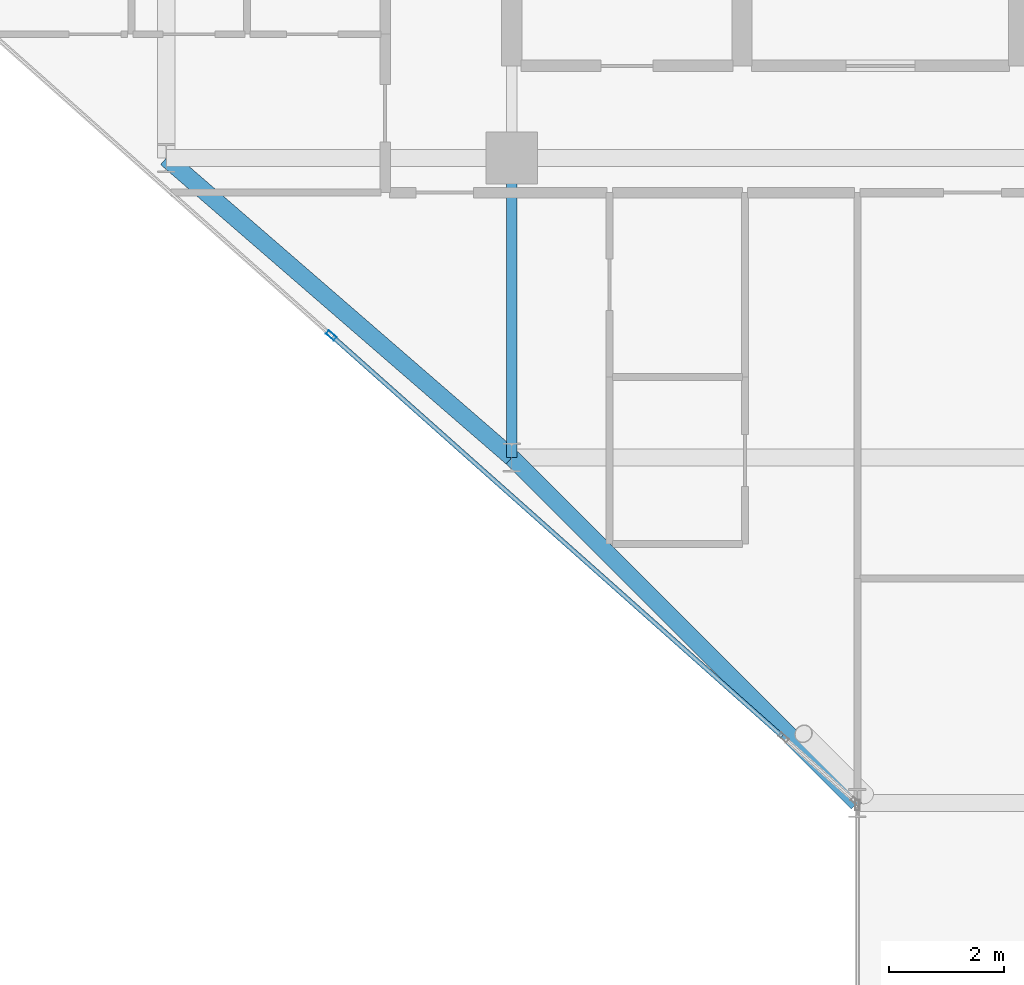
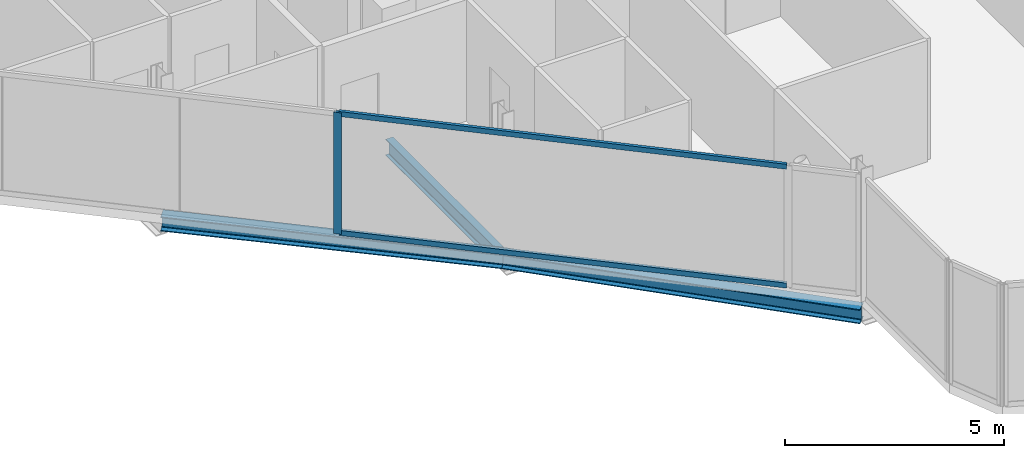
# One storey, part 4 of 32: 3 beams, 3 members, 1 element without a shape of its own.
"""IFC4 building model written with IfcOpenShell, lengths in metres."""

from ifc_helpers import new_model, si_unit, direction, frame, origin, origin_2d, place, context, subcontext, project, spatial, hollow_rectangle, i_section, extrude, material, layer, layer_set, material_profile, profile_set, type_object, element, aggregate, save


model = new_model("IFC4")

# Units and contexts
model_context = context("Model", 3, precision=1e-05, world=origin(), true_north=direction((0.0, 1.0)))
body_context = subcontext(model_context, "Body", "Model", "MODEL_VIEW")
ifc_project = project(units=[si_unit("LENGTHUNIT", "METRE"), si_unit("AREAUNIT", "SQUARE_METRE"), si_unit("VOLUMEUNIT", "CUBIC_METRE"), si_unit("PLANEANGLEUNIT", "RADIAN"), si_unit("MASSUNIT", "GRAM", prefix="KILO")], contexts=[model_context])

# Site, building, storey
site_placement = place(None, origin())
site = spatial("IfcSite", under=ifc_project, at=site_placement, CompositionType="ELEMENT")
building_placement = place(site_placement, origin())
building = spatial("IfcBuilding", under=site, at=building_placement, Name="Keshet Zoharim Tower", CompositionType="ELEMENT")
storey_placement = place(building_placement, frame((0.0, 0.0, 152.0)))
storey = spatial("IfcBuildingStorey", under=building, at=storey_placement, Name="L37", CompositionType="ELEMENT", Elevation=152.0)

# Beams
ifc_material_1 = material(Name="Steel S355", Category="steel")
ifc_material_profile_1 = material_profile(ifc_material_1, i_section(OverallWidth=0.18994140625, OverallDepth=0.449951171875, WebThickness=0.009521484375, FlangeThickness=0.0146484375, FilletRadius=0.02099609375, at=origin_2d()), Name="IPE450")
ifc_profile_set_1 = profile_set([ifc_material_profile_1], Name="Steel S355")
beam_type_1 = type_object("IfcBeamType", Name="BM-PRI-IP450", PredefinedType="BEAM", material=ifc_profile_set_1)
beam_1_placement = place(storey_placement, frame((15.0, 12.699951171875, -0.5400390625), z_axis=(0.0, 1.0, 0.0), x_axis=(-1.0, 0.0, 0.0)))
element("IfcBeam", 1, at=beam_1_placement, inside=storey, type_object=beam_type_1, Name="L37 Primary Girder Y-002", PredefinedType="BEAM", context=body_context, shape_type="SweptSolid", body=[
    extrude(i_section(OverallWidth=0.18994140625, OverallDepth=0.449951171875, WebThickness=0.009521484375, FlangeThickness=0.0146484375, FilletRadius=0.02099609375, at=origin_2d()), origin(), (0.0, 0.0, 1.0), 5.199951171875),
])
ifc_material_profile_2 = material_profile(ifc_material_1, i_section(OverallWidth=0.300048828125, OverallDepth=0.39990234375, WebThickness=0.013427734375, FlangeThickness=0.02392578125, FilletRadius=0.027099609375, at=origin_2d()), Name="HEB400")
ifc_profile_set_2 = profile_set([ifc_material_profile_2], Name="Steel S355")
beam_type_2 = type_object("IfcBeamType", Name="BM-SPN-HB400", PredefinedType="SPANDREL", material=ifc_profile_set_2)
beam_2_placement = place(storey_placement, frame((21.0, 6.699951171875, -0.514892578125), z_axis=(-0.707106781187, 0.707106781187, 0.0), x_axis=(-0.707106781187, -0.707106781187, 0.0)))
element("IfcBeam", 2, at=beam_2_placement, inside=storey, type_object=beam_type_2, Name="L37 Perimeter Spandrel Beam 01", PredefinedType="SPANDREL", context=body_context, shape_type="SweptSolid", body=[
    extrude(i_section(OverallWidth=0.300048828125, OverallDepth=0.39990234375, WebThickness=0.013427734375, FlangeThickness=0.02392578125, FilletRadius=0.027099609375, at=origin_2d()), origin(), (0.0, 0.0, 1.0), 8.4853515625),
])
beam_3_placement = place(storey_placement, frame((9.0, 17.89990234375, -0.514892578125), z_axis=(0.755692126483, -0.654927026447, 0.0), x_axis=(0.654927026447, 0.755692126483, 0.0)))
element("IfcBeam", 3, at=beam_3_placement, inside=storey, type_object=beam_type_2, Name="L37 Perimeter Spandrel Beam 02", PredefinedType="SPANDREL", context=body_context, shape_type="SweptSolid", body=[
    extrude(i_section(OverallWidth=0.300048828125, OverallDepth=0.39990234375, WebThickness=0.013427734375, FlangeThickness=0.02392578125, FilletRadius=0.027099609375, at=origin_2d()), origin(), (0.0, 0.0, 1.0), 7.939697265625),
])

# Curtain wall, members
ifc_material_2 = material(Name="Aluminium 6063-T6", Category="aluminium")
ifc_layer = layer(ifc_material_2, 0.159912109375)
ifc_layer_set = layer_set([ifc_layer], Name="Aluminium 6063-T6")
curtain_wall_type = type_object("IfcCurtainWallType", Name="CW-SYS-03", PredefinedType="NOTDEFINED", material=ifc_layer_set)
curtain_wall_placement = place(storey_placement, origin())
curtain_wall = element("IfcCurtainWall", 4, at=curtain_wall_placement, inside=storey, type_object=curtain_wall_type, Name="L37 Unitised Curtain Wall 07 Part 2", PredefinedType="NOTDEFINED")
ifc_material_profile_3 = material_profile(ifc_material_2, hollow_rectangle(XDim=0.080078125, YDim=0.179931640625, WallThickness=0.00439453125, at=origin_2d()), Name="MUL-80x180")
ifc_profile_set_3 = profile_set([ifc_material_profile_3], Name="Aluminium 6063-T6")
member_type_1 = type_object("IfcMemberType", Name="CWM-M18", PredefinedType="MULLION", material=ifc_profile_set_3)
member_1_placement = place(storey_placement, frame((11.864990234375, 14.820068359375, 0.0), z_axis=(0.0, 0.0, 1.0), x_axis=(-0.664363542589, -0.747409582009, 0.0)))
member_1 = element("IfcMember", 5, at=member_1_placement, type_object=member_type_1, Name="CW-03 mullion 2", PredefinedType="MULLION", context=body_context, shape_type="SweptSolid", body=[
    extrude(hollow_rectangle(XDim=0.080078125, YDim=0.179931640625, WallThickness=0.00439453125, at=origin_2d()), origin(), (0.0, 0.0, 1.0), 3.385009765625),
])
ifc_material_profile_4 = material_profile(ifc_material_2, hollow_rectangle(XDim=0.080078125, YDim=0.139892578125, WallThickness=0.00390625, at=origin_2d()), Name="TRN-80x140")
ifc_profile_set_4 = profile_set([ifc_material_profile_4], Name="Aluminium 6063-T6")
member_type_2 = type_object("IfcMemberType", Name="CWT-T14", PredefinedType="USERDEFINED", material=ifc_profile_set_4)
member_2_placement = place(storey_placement, frame((19.69482421875, 7.860107421875, 0.034912109375), z_axis=(-0.747402868264, 0.664371095482, 0.0), x_axis=(-0.664371095482, -0.747402868264, 0.0)))
member_2 = element("IfcMember", 6, at=member_2_placement, type_object=member_type_2, Name="CW-03 transom 1.1", ObjectType="TRANSOM", PredefinedType="USERDEFINED", context=body_context, shape_type="SweptSolid", body=[
    extrude(hollow_rectangle(XDim=0.080078125, YDim=0.139892578125, WallThickness=0.00390625, at=origin_2d()), origin(), (0.0, 0.0, 1.0), 10.441162109375),
])
member_3_placement = place(storey_placement, frame((19.69482421875, 7.860107421875, 3.35009765625), z_axis=(-0.747402868264, 0.664371095482, 0.0), x_axis=(-0.664371095482, -0.747402868264, 0.0)))
member_3 = element("IfcMember", 7, at=member_3_placement, type_object=member_type_2, Name="CW-03 transom 1.2", ObjectType="TRANSOM", PredefinedType="USERDEFINED", context=body_context, shape_type="SweptSolid", body=[
    extrude(hollow_rectangle(XDim=0.080078125, YDim=0.139892578125, WallThickness=0.00390625, at=origin_2d()), origin(), (0.0, 0.0, 1.0), 10.441162109375),
])
aggregate(curtain_wall, [member_1, member_2, member_3])

save(model, "model.ifc")
